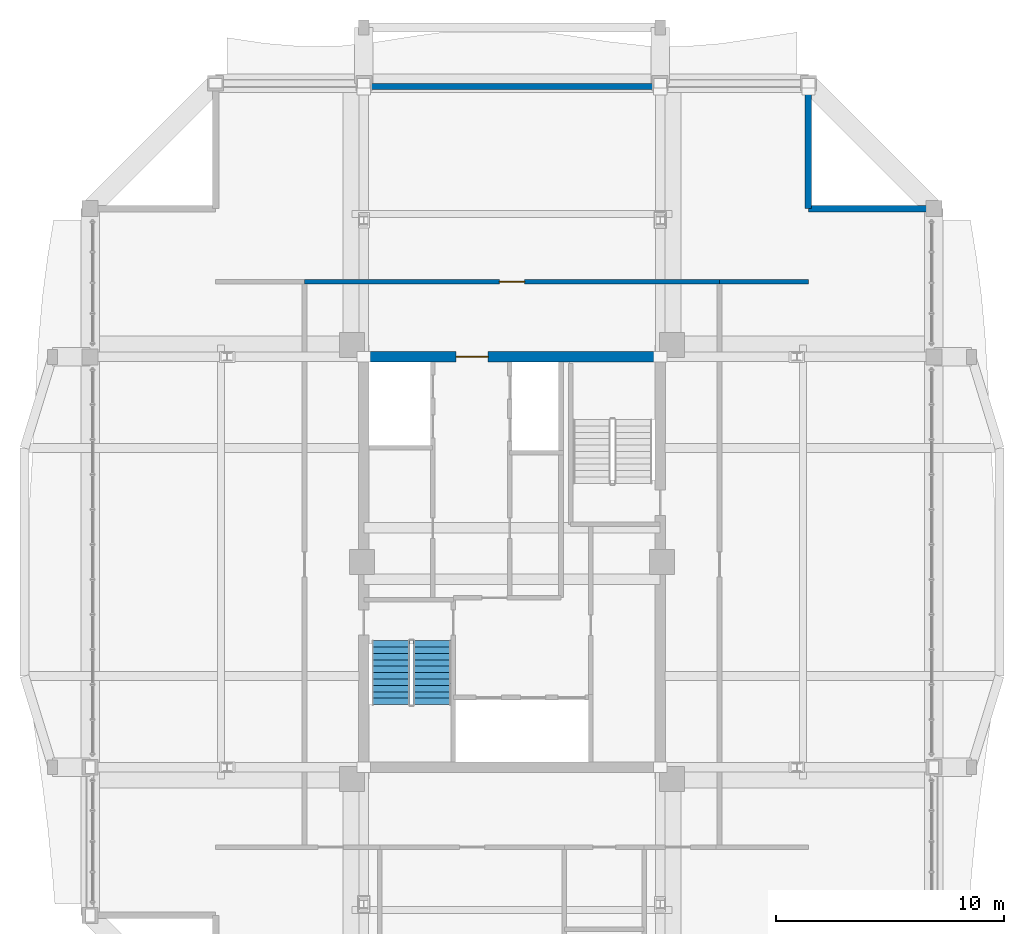
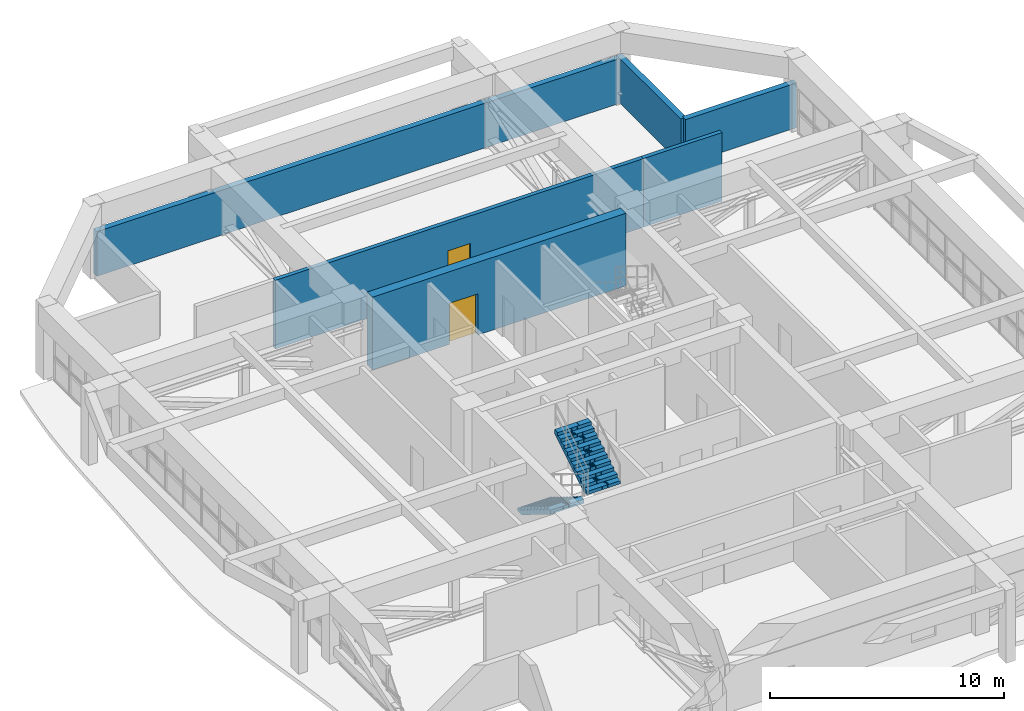
# One storey, part 22 of 25: 6 walls, 2 doors, 2 stair flights, 2 openings, 1 element without a shape of its own.
"""IFC4 building model written with IfcOpenShell, lengths in metres."""

from ifc_helpers import new_model, si_unit, direction, frame, frame_2d, origin, place, context, subcontext, project, spatial, polyline, rectangle, outline, extrude, source, transform, mapped, material, layer, layer_set, type_object, element, fill, aggregate, save


model = new_model("IFC4")

# Units and contexts
model_context = context("Model", 3, precision=1e-05, world=origin(), true_north=direction((0.0, 1.0)))
body_context = subcontext(model_context, "Body", "Model", "MODEL_VIEW")
ifc_project = project(units=[si_unit("LENGTHUNIT", "METRE"), si_unit("AREAUNIT", "SQUARE_METRE"), si_unit("VOLUMEUNIT", "CUBIC_METRE"), si_unit("PLANEANGLEUNIT", "RADIAN"), si_unit("MASSUNIT", "GRAM", prefix="KILO")], contexts=[model_context])

# Site, building, storey
site_placement = place(None, origin())
site = spatial("IfcSite", under=ifc_project, at=site_placement, CompositionType="ELEMENT")
building_placement = place(site_placement, origin())
building = spatial("IfcBuilding", under=site, at=building_placement, Name="Saelheon Loggia Tower", CompositionType="ELEMENT")
storey_placement = place(building_placement, frame((0.0, 0.0, 206.5)))
storey = spatial("IfcBuildingStorey", under=building, at=storey_placement, Name="L64", CompositionType="ELEMENT", Elevation=206.5)

# Wall, opening, door
ifc_material_1 = material(Name="Concrete C45/55", Category="concrete")
ifc_layer_1 = layer(ifc_material_1, 0.449951171875)
ifc_layer_set_1 = layer_set([ifc_layer_1], Name="Concrete C45/55")
wall_type_1 = type_object("IfcWallType", Name="Wall_CoreShear_450", PredefinedType="SHEAR", material=ifc_layer_set_1)
wall_1_placement = place(storey_placement, frame((31.72509765625, 36.0, 0.0), z_axis=(0.0, 0.0, 1.0), x_axis=(1.0, 0.0, 0.0)))
wall_1 = element("IfcWall", 1, at=wall_1_placement, inside=storey, type_object=wall_type_1, Name="L64 Core Shear Wall North", PredefinedType="SHEAR", context=body_context, shape_type="SweptSolid", body=[
    extrude(rectangle(XDim=12.5498046875, YDim=0.449951171875, at=frame_2d((6.27490234375, 0.0))), origin(), (0.0, 0.0, 1.0), 3.800048828125),
])
opening_1_placement = place(wall_1_placement, frame((5.224853515625, 0.0, 0.0), z_axis=(0.0, 0.0, 1.0), x_axis=(-1.0, 0.0, 0.0)))
opening_1 = element("IfcOpeningElement", 2, at=opening_1_placement, cuts=wall_1, Name="Opening D-FD2L", PredefinedType="OPENING", context=body_context, shape_type="SweptSolid", body=[
    extrude(rectangle(XDim=1.39990234375, YDim=2.14990234375, at=frame_2d((0.699951171875, 1.074951171875))), frame((0.0, 0.237060546875, 0.0), z_axis=(0.0, -1.0, 0.0), x_axis=(1.0, 0.0, 0.0)), (0.0, 0.0, 1.0), 0.473876953125),
])
ifc_material_2 = material(Name="Galvanised Steel Glazed Lobby Fire Door", Category="steel")
door_type_1 = type_object("IfcDoorType", Name="Door_Fire_FD60_1400", OperationType="NOTDEFINED", PredefinedType="DOOR", material=ifc_material_2)
shared_shape_1 = source(origin(), body_context, "Body", "SweptSolid", [
    extrude(rectangle(XDim=1.39990234375, YDim=2.14990234375, at=frame_2d((0.699951171875, 1.074951171875))), frame((0.0, 0.02490234375, 0.0), z_axis=(0.0, -1.0, 0.0), x_axis=(1.0, 0.0, 0.0)), (0.0, 0.0, 1.0), 0.050048828125),
])
door_1_placement = place(opening_1_placement, origin())
door_1 = element("IfcDoor", 3, at=door_1_placement, inside=storey, type_object=door_type_1, Name="L64 Passenger Lift Lobby Main Door", OperationType="SINGLE_SWING_RIGHT", OverallHeight=2.14990234375, OverallWidth=1.39990234375, PredefinedType="DOOR", context=body_context, shape_type="MappedRepresentation", body=[
    mapped(shared_shape_1, transform((0.0, 0.0, 0.0), scale=1.0)),
])
fill(opening_1, door_1)

# Walls
ifc_material_3 = material(Name="Architectural Precast Concrete C40/50", Category="concrete")
ifc_layer_2 = layer(ifc_material_3, 0.280029296875)
ifc_layer_set_2 = layer_set([ifc_layer_2], Name="Architectural Precast Concrete C40/50")
wall_type_2 = type_object("IfcWallType", Name="Wall_Ext_Loggia_280", PredefinedType="SOLIDWALL", material=ifc_layer_set_2)
wall_2_placement = place(storey_placement, frame((25.0, 47.860107421875, 0.0), z_axis=(0.0, 0.0, 1.0), x_axis=(1.0, 0.0, 0.0)))
element("IfcWall", 4, at=wall_2_placement, inside=storey, type_object=wall_type_2, Name="L64 Refuge North Wall", PredefinedType="SOLIDWALL", context=body_context, shape_type="SweptSolid", body=[
    extrude(rectangle(XDim=26.0, YDim=0.280029296875, at=frame_2d((13.0, 0.0))), origin(), (0.0, 0.0, 1.0), 2.340087890625),
])
for number, where, z_axis, x_axis, name in (
    (5, (51.0, 42.5, 0.0), (0.0, 0.0, 1.0), (0.0, 1.0, 0.0), "L64 Notch Wall NE1"),
    (6, (51.0, 42.5, 0.0), (0.0, 0.0, 1.0), (1.0, 0.0, 0.0), "L64 Notch Wall NE2"),
):
    element("IfcWall", number, at=place(storey_placement, frame(where, z_axis=z_axis, x_axis=x_axis)), inside=storey, type_object=wall_type_2, Name=name, PredefinedType="SOLIDWALL", context=body_context, shape_type="SweptSolid", body=[
        extrude(rectangle(XDim=5.5, YDim=0.280029296875, at=frame_2d((2.75, 0.0))), origin(), (0.0, 0.0, 1.0), 2.340087890625),
    ])

# Wall, opening, door
ifc_material_4 = material(Name="Concrete C40/50", Category="concrete")
ifc_layer_3 = layer(ifc_material_4, 0.199951171875)
ifc_layer_set_3 = layer_set([ifc_layer_3], Name="Concrete C40/50")
wall_type_3 = type_object("IfcWallType", Name="Wall_Shaft_200", PredefinedType="PARTITIONING", material=ifc_layer_set_3)
wall_3_placement = place(storey_placement, frame((28.89990234375, 39.300048828125, 0.0), z_axis=(0.0, 0.0, 1.0), x_axis=(1.0, 0.0, 0.0)))
wall_3 = element("IfcWall", 7, at=wall_3_placement, inside=storey, type_object=wall_type_3, Name="PW-L64-PMP-NC", PredefinedType="PARTITIONING", context=body_context, shape_type="SweptSolid", body=[
    extrude(rectangle(XDim=18.2001953125, YDim=0.199951171875, at=frame_2d((9.10009765625, 0.0))), origin(), (0.0, 0.0, 1.0), 3.590087890625),
])
opening_2_placement = place(wall_3_placement, frame((8.550048828125, 0.0, 0.0)))
opening_2 = element("IfcOpeningElement", 8, at=opening_2_placement, cuts=wall_3, Name="Opening D-FD2", PredefinedType="OPENING", context=body_context, shape_type="SweptSolid", body=[
    extrude(rectangle(XDim=1.10009765625, YDim=2.14990234375, at=frame_2d((0.550048828125, 1.074951171875))), frame((0.0, 0.112060546875, 0.0), z_axis=(0.0, -1.0, 0.0), x_axis=(1.0, 0.0, 0.0)), (0.0, 0.0, 1.0), 0.223876953125),
])
ifc_material_5 = material(Name="Galvanised Steel Fire Door", Category="steel")
door_type_2 = type_object("IfcDoorType", Name="Door_Fire_FD60_1100", OperationType="NOTDEFINED", PredefinedType="DOOR", material=ifc_material_5)
shared_shape_2 = source(origin(), body_context, "Body", "SweptSolid", [
    extrude(rectangle(XDim=1.10009765625, YDim=2.14990234375, at=frame_2d((0.550048828125, 1.074951171875))), frame((0.0, 0.02490234375, 0.0), z_axis=(0.0, -1.0, 0.0), x_axis=(1.0, 0.0, 0.0)), (0.0, 0.0, 1.0), 0.050048828125),
])
door_2_placement = place(opening_2_placement, origin())
door_2 = element("IfcDoor", 9, at=door_2_placement, inside=storey, type_object=door_type_2, Name="L64 Booster Pump Room Door", OperationType="SINGLE_SWING_LEFT", OverallHeight=2.14990234375, OverallWidth=1.10009765625, PredefinedType="DOOR", context=body_context, shape_type="MappedRepresentation", body=[
    mapped(shared_shape_2, transform((0.0, 0.0, 0.0), scale=1.0)),
])
fill(opening_2, door_2)

# Wall
wall_4_placement = place(storey_placement, frame((47.10009765625, 39.300048828125, 0.0), z_axis=(0.0, 0.0, 1.0), x_axis=(1.0, 0.0, 0.0)))
element("IfcWall", 10, at=wall_4_placement, inside=storey, type_object=wall_type_3, Name="PW-L64-PMP-NE", PredefinedType="PARTITIONING", context=body_context, shape_type="SweptSolid", body=[
    extrude(rectangle(XDim=3.89990234375, YDim=0.199951171875, at=frame_2d((1.949951171875, 0.0))), origin(), (0.0, 0.0, 1.0), 3.590087890625),
])

# Stair, stair flights
stair_type = type_object("IfcStairType", Name="Stair_Escape_Core", PredefinedType="HALF_TURN_STAIR", material=ifc_material_4)
stair_placement = place(storey_placement, origin())
stair = element("IfcStair", 11, at=stair_placement, inside=storey, type_object=stair_type, Name="L64 Special Escape Stair ST1", PredefinedType="HALF_TURN_STAIR")
stair_flight_type = type_object("IfcStairFlightType", Name="StairFlight_Tower_1660", PredefinedType="STRAIGHT", material=ifc_material_4)
stair_flight_1_placement = place(storey_placement, frame((32.679931640625, 23.550048828125, 0.0), z_axis=(0.0, 0.0, 1.0), x_axis=(0.0, -1.0, 0.0)))
stair_flight_1 = element("IfcStairFlight", 12, at=stair_flight_1_placement, type_object=stair_flight_type, Name="ST1 flight 1", NumberOfRisers=11, NumberOfTreads=10, PredefinedType="STRAIGHT", RiserHeight=0.172727273, TreadLength=0.28, context=body_context, shape_type="SweptSolid", body=[
    extrude(outline(polyline([(0.0, 0.0), (0.0, 0.172607421875), (0.280029296875, 0.172607421875), (0.280029296875, 0.345458984375), (0.56005859375, 0.345458984375), (0.56005859375, 0.51806640625), (0.840087890625, 0.51806640625), (0.840087890625, 0.69091796875), (1.1201171875, 0.69091796875), (1.1201171875, 0.863525390625), (1.39990234375, 0.863525390625), (1.39990234375, 1.036376953125), (1.679931640625, 1.036376953125), (1.679931640625, 1.208984375), (1.9599609375, 1.208984375), (1.9599609375, 1.3818359375), (2.239990234375, 1.3818359375), (2.239990234375, 1.554443359375), (2.52001953125, 1.554443359375), (2.52001953125, 1.727294921875), (2.800048828125, 1.727294921875), (2.800048828125, 1.89990234375), (2.800048828125, 1.515869140625), (0.3427734375, 0.0), (0.0, 0.0)])), frame((0.0, -0.2490234375, 0.0), z_axis=(0.0, -1.0, 0.0), x_axis=(1.0, 0.0, 0.0)), (0.0, 0.0, 1.0), 0.5810546875),
    extrude(outline(polyline([(0.0, 0.0), (0.0, 0.172607421875), (0.280029296875, 0.172607421875), (0.280029296875, 0.345458984375), (0.56005859375, 0.345458984375), (0.56005859375, 0.51806640625), (0.840087890625, 0.51806640625), (0.840087890625, 0.69091796875), (1.1201171875, 0.69091796875), (1.1201171875, 0.863525390625), (1.39990234375, 0.863525390625), (1.39990234375, 1.036376953125), (1.679931640625, 1.036376953125), (1.679931640625, 1.208984375), (1.9599609375, 1.208984375), (1.9599609375, 1.3818359375), (2.239990234375, 1.3818359375), (2.239990234375, 1.554443359375), (2.52001953125, 1.554443359375), (2.52001953125, 1.727294921875), (2.800048828125, 1.727294921875), (2.800048828125, 1.89990234375), (2.800048828125, 1.515869140625), (0.3427734375, 0.0), (0.0, 0.0)])), frame((0.0, -0.194091796875, 0.0), z_axis=(0.0, -1.0, 0.0), x_axis=(1.0, 0.0, 0.0)), (0.0, 0.0, 1.0), 0.0498046875),
    extrude(outline(polyline([(0.0, 0.0), (0.0, 0.172607421875), (0.280029296875, 0.172607421875), (0.280029296875, 0.345458984375), (0.56005859375, 0.345458984375), (0.56005859375, 0.51806640625), (0.840087890625, 0.51806640625), (0.840087890625, 0.69091796875), (1.1201171875, 0.69091796875), (1.1201171875, 0.863525390625), (1.39990234375, 0.863525390625), (1.39990234375, 1.036376953125), (1.679931640625, 1.036376953125), (1.679931640625, 1.208984375), (1.9599609375, 1.208984375), (1.9599609375, 1.3818359375), (2.239990234375, 1.3818359375), (2.239990234375, 1.554443359375), (2.52001953125, 1.554443359375), (2.52001953125, 1.727294921875), (2.800048828125, 1.727294921875), (2.800048828125, 1.89990234375), (2.800048828125, 1.515869140625), (0.3427734375, 0.0), (0.0, 0.0)])), frame((0.0, -0.139404296875, 0.0), z_axis=(0.0, -1.0, 0.0), x_axis=(1.0, 0.0, 0.0)), (0.0, 0.0, 1.0), 0.0498046875),
    extrude(outline(polyline([(0.0, 0.0), (0.0, 0.172607421875), (0.280029296875, 0.172607421875), (0.280029296875, 0.345458984375), (0.56005859375, 0.345458984375), (0.56005859375, 0.51806640625), (0.840087890625, 0.51806640625), (0.840087890625, 0.69091796875), (1.1201171875, 0.69091796875), (1.1201171875, 0.863525390625), (1.39990234375, 0.863525390625), (1.39990234375, 1.036376953125), (1.679931640625, 1.036376953125), (1.679931640625, 1.208984375), (1.9599609375, 1.208984375), (1.9599609375, 1.3818359375), (2.239990234375, 1.3818359375), (2.239990234375, 1.554443359375), (2.52001953125, 1.554443359375), (2.52001953125, 1.727294921875), (2.800048828125, 1.727294921875), (2.800048828125, 1.89990234375), (2.800048828125, 1.515869140625), (0.3427734375, 0.0), (0.0, 0.0)])), frame((0.0, -0.084716796875, 0.0), z_axis=(0.0, -1.0, 0.0), x_axis=(1.0, 0.0, 0.0)), (0.0, 0.0, 1.0), 0.0498046875),
    extrude(outline(polyline([(0.0, 0.0), (0.0, 0.172607421875), (0.280029296875, 0.172607421875), (0.280029296875, 0.345458984375), (0.56005859375, 0.345458984375), (0.56005859375, 0.51806640625), (0.840087890625, 0.51806640625), (0.840087890625, 0.69091796875), (1.1201171875, 0.69091796875), (1.1201171875, 0.863525390625), (1.39990234375, 0.863525390625), (1.39990234375, 1.036376953125), (1.679931640625, 1.036376953125), (1.679931640625, 1.208984375), (1.9599609375, 1.208984375), (1.9599609375, 1.3818359375), (2.239990234375, 1.3818359375), (2.239990234375, 1.554443359375), (2.52001953125, 1.554443359375), (2.52001953125, 1.727294921875), (2.800048828125, 1.727294921875), (2.800048828125, 1.89990234375), (2.800048828125, 1.515869140625), (0.3427734375, 0.0), (0.0, 0.0)])), frame((0.0, -0.02978515625, 0.0), z_axis=(0.0, -1.0, 0.0), x_axis=(1.0, 0.0, 0.0)), (0.0, 0.0, 1.0), 0.0498046875),
    extrude(outline(polyline([(0.0, 0.0), (0.0, 0.172607421875), (0.280029296875, 0.172607421875), (0.280029296875, 0.345458984375), (0.56005859375, 0.345458984375), (0.56005859375, 0.51806640625), (0.840087890625, 0.51806640625), (0.840087890625, 0.69091796875), (1.1201171875, 0.69091796875), (1.1201171875, 0.863525390625), (1.39990234375, 0.863525390625), (1.39990234375, 1.036376953125), (1.679931640625, 1.036376953125), (1.679931640625, 1.208984375), (1.9599609375, 1.208984375), (1.9599609375, 1.3818359375), (2.239990234375, 1.3818359375), (2.239990234375, 1.554443359375), (2.52001953125, 1.554443359375), (2.52001953125, 1.727294921875), (2.800048828125, 1.727294921875), (2.800048828125, 1.89990234375), (2.800048828125, 1.515869140625), (0.3427734375, 0.0), (0.0, 0.0)])), frame((0.0, 0.02490234375, 0.0), z_axis=(0.0, -1.0, 0.0), x_axis=(1.0, 0.0, 0.0)), (0.0, 0.0, 1.0), 0.0498046875),
    extrude(outline(polyline([(0.0, 0.0), (0.0, 0.172607421875), (0.280029296875, 0.172607421875), (0.280029296875, 0.345458984375), (0.56005859375, 0.345458984375), (0.56005859375, 0.51806640625), (0.840087890625, 0.51806640625), (0.840087890625, 0.69091796875), (1.1201171875, 0.69091796875), (1.1201171875, 0.863525390625), (1.39990234375, 0.863525390625), (1.39990234375, 1.036376953125), (1.679931640625, 1.036376953125), (1.679931640625, 1.208984375), (1.9599609375, 1.208984375), (1.9599609375, 1.3818359375), (2.239990234375, 1.3818359375), (2.239990234375, 1.554443359375), (2.52001953125, 1.554443359375), (2.52001953125, 1.727294921875), (2.800048828125, 1.727294921875), (2.800048828125, 1.89990234375), (2.800048828125, 1.515869140625), (0.3427734375, 0.0), (0.0, 0.0)])), frame((0.0, 0.07958984375, 0.0), z_axis=(0.0, -1.0, 0.0), x_axis=(1.0, 0.0, 0.0)), (0.0, 0.0, 1.0), 0.0498046875),
    extrude(outline(polyline([(0.0, 0.0), (0.0, 0.172607421875), (0.280029296875, 0.172607421875), (0.280029296875, 0.345458984375), (0.56005859375, 0.345458984375), (0.56005859375, 0.51806640625), (0.840087890625, 0.51806640625), (0.840087890625, 0.69091796875), (1.1201171875, 0.69091796875), (1.1201171875, 0.863525390625), (1.39990234375, 0.863525390625), (1.39990234375, 1.036376953125), (1.679931640625, 1.036376953125), (1.679931640625, 1.208984375), (1.9599609375, 1.208984375), (1.9599609375, 1.3818359375), (2.239990234375, 1.3818359375), (2.239990234375, 1.554443359375), (2.52001953125, 1.554443359375), (2.52001953125, 1.727294921875), (2.800048828125, 1.727294921875), (2.800048828125, 1.89990234375), (2.800048828125, 1.515869140625), (0.3427734375, 0.0), (0.0, 0.0)])), frame((0.0, 0.134521484375, 0.0), z_axis=(0.0, -1.0, 0.0), x_axis=(1.0, 0.0, 0.0)), (0.0, 0.0, 1.0), 0.0498046875),
    extrude(outline(polyline([(0.0, 0.0), (0.0, 0.172607421875), (0.280029296875, 0.172607421875), (0.280029296875, 0.345458984375), (0.56005859375, 0.345458984375), (0.56005859375, 0.51806640625), (0.840087890625, 0.51806640625), (0.840087890625, 0.69091796875), (1.1201171875, 0.69091796875), (1.1201171875, 0.863525390625), (1.39990234375, 0.863525390625), (1.39990234375, 1.036376953125), (1.679931640625, 1.036376953125), (1.679931640625, 1.208984375), (1.9599609375, 1.208984375), (1.9599609375, 1.3818359375), (2.239990234375, 1.3818359375), (2.239990234375, 1.554443359375), (2.52001953125, 1.554443359375), (2.52001953125, 1.727294921875), (2.800048828125, 1.727294921875), (2.800048828125, 1.89990234375), (2.800048828125, 1.515869140625), (0.3427734375, 0.0), (0.0, 0.0)])), frame((0.0, 0.189208984375, 0.0), z_axis=(0.0, -1.0, 0.0), x_axis=(1.0, 0.0, 0.0)), (0.0, 0.0, 1.0), 0.0498046875),
    extrude(outline(polyline([(0.0, 0.0), (0.0, 0.172607421875), (0.280029296875, 0.172607421875), (0.280029296875, 0.345458984375), (0.56005859375, 0.345458984375), (0.56005859375, 0.51806640625), (0.840087890625, 0.51806640625), (0.840087890625, 0.69091796875), (1.1201171875, 0.69091796875), (1.1201171875, 0.863525390625), (1.39990234375, 0.863525390625), (1.39990234375, 1.036376953125), (1.679931640625, 1.036376953125), (1.679931640625, 1.208984375), (1.9599609375, 1.208984375), (1.9599609375, 1.3818359375), (2.239990234375, 1.3818359375), (2.239990234375, 1.554443359375), (2.52001953125, 1.554443359375), (2.52001953125, 1.727294921875), (2.800048828125, 1.727294921875), (2.800048828125, 1.89990234375), (2.800048828125, 1.515869140625), (0.3427734375, 0.0), (0.0, 0.0)])), frame((0.0, 0.243896484375, 0.0), z_axis=(0.0, -1.0, 0.0), x_axis=(1.0, 0.0, 0.0)), (0.0, 0.0, 1.0), 0.0498046875),
    extrude(outline(polyline([(0.0, 0.0), (0.0, 0.172607421875), (0.280029296875, 0.172607421875), (0.280029296875, 0.345458984375), (0.56005859375, 0.345458984375), (0.56005859375, 0.51806640625), (0.840087890625, 0.51806640625), (0.840087890625, 0.69091796875), (1.1201171875, 0.69091796875), (1.1201171875, 0.863525390625), (1.39990234375, 0.863525390625), (1.39990234375, 1.036376953125), (1.679931640625, 1.036376953125), (1.679931640625, 1.208984375), (1.9599609375, 1.208984375), (1.9599609375, 1.3818359375), (2.239990234375, 1.3818359375), (2.239990234375, 1.554443359375), (2.52001953125, 1.554443359375), (2.52001953125, 1.727294921875), (2.800048828125, 1.727294921875), (2.800048828125, 1.89990234375), (2.800048828125, 1.515869140625), (0.3427734375, 0.0), (0.0, 0.0)])), frame((0.0, 0.830078125, 0.0), z_axis=(0.0, -1.0, 0.0), x_axis=(1.0, 0.0, 0.0)), (0.0, 0.0, 1.0), 0.5810546875),
])
stair_flight_2_placement = place(storey_placement, frame((34.5, 20.75, 1.89990234375), z_axis=(0.0, 0.0, 1.0), x_axis=(0.0, 1.0, 0.0)))
stair_flight_2 = element("IfcStairFlight", 13, at=stair_flight_2_placement, type_object=stair_flight_type, Name="ST1 flight 2", NumberOfRisers=11, NumberOfTreads=10, PredefinedType="STRAIGHT", RiserHeight=0.172727273, TreadLength=0.28, context=body_context, shape_type="SweptSolid", body=[
    extrude(outline(polyline([(0.0, 0.0), (0.0, 0.172607421875), (0.280029296875, 0.172607421875), (0.280029296875, 0.345458984375), (0.56005859375, 0.345458984375), (0.56005859375, 0.51806640625), (0.840087890625, 0.51806640625), (0.840087890625, 0.69091796875), (1.1201171875, 0.69091796875), (1.1201171875, 0.863525390625), (1.39990234375, 0.863525390625), (1.39990234375, 1.036376953125), (1.679931640625, 1.036376953125), (1.679931640625, 1.208984375), (1.9599609375, 1.208984375), (1.9599609375, 1.3818359375), (2.239990234375, 1.3818359375), (2.239990234375, 1.554443359375), (2.52001953125, 1.554443359375), (2.52001953125, 1.727294921875), (2.800048828125, 1.727294921875), (2.800048828125, 1.89990234375), (2.800048828125, 1.515869140625), (0.3427734375, 0.0), (0.0, 0.0)])), frame((0.0, -0.2490234375, 0.0), z_axis=(0.0, -1.0, 0.0), x_axis=(1.0, 0.0, 0.0)), (0.0, 0.0, 1.0), 0.5810546875),
    extrude(outline(polyline([(0.0, 0.0), (0.0, 0.172607421875), (0.280029296875, 0.172607421875), (0.280029296875, 0.345458984375), (0.56005859375, 0.345458984375), (0.56005859375, 0.51806640625), (0.840087890625, 0.51806640625), (0.840087890625, 0.69091796875), (1.1201171875, 0.69091796875), (1.1201171875, 0.863525390625), (1.39990234375, 0.863525390625), (1.39990234375, 1.036376953125), (1.679931640625, 1.036376953125), (1.679931640625, 1.208984375), (1.9599609375, 1.208984375), (1.9599609375, 1.3818359375), (2.239990234375, 1.3818359375), (2.239990234375, 1.554443359375), (2.52001953125, 1.554443359375), (2.52001953125, 1.727294921875), (2.800048828125, 1.727294921875), (2.800048828125, 1.89990234375), (2.800048828125, 1.515869140625), (0.3427734375, 0.0), (0.0, 0.0)])), frame((0.0, -0.194091796875, 0.0), z_axis=(0.0, -1.0, 0.0), x_axis=(1.0, 0.0, 0.0)), (0.0, 0.0, 1.0), 0.0498046875),
    extrude(outline(polyline([(0.0, 0.0), (0.0, 0.172607421875), (0.280029296875, 0.172607421875), (0.280029296875, 0.345458984375), (0.56005859375, 0.345458984375), (0.56005859375, 0.51806640625), (0.840087890625, 0.51806640625), (0.840087890625, 0.69091796875), (1.1201171875, 0.69091796875), (1.1201171875, 0.863525390625), (1.39990234375, 0.863525390625), (1.39990234375, 1.036376953125), (1.679931640625, 1.036376953125), (1.679931640625, 1.208984375), (1.9599609375, 1.208984375), (1.9599609375, 1.3818359375), (2.239990234375, 1.3818359375), (2.239990234375, 1.554443359375), (2.52001953125, 1.554443359375), (2.52001953125, 1.727294921875), (2.800048828125, 1.727294921875), (2.800048828125, 1.89990234375), (2.800048828125, 1.515869140625), (0.3427734375, 0.0), (0.0, 0.0)])), frame((0.0, -0.139404296875, 0.0), z_axis=(0.0, -1.0, 0.0), x_axis=(1.0, 0.0, 0.0)), (0.0, 0.0, 1.0), 0.0498046875),
    extrude(outline(polyline([(0.0, 0.0), (0.0, 0.172607421875), (0.280029296875, 0.172607421875), (0.280029296875, 0.345458984375), (0.56005859375, 0.345458984375), (0.56005859375, 0.51806640625), (0.840087890625, 0.51806640625), (0.840087890625, 0.69091796875), (1.1201171875, 0.69091796875), (1.1201171875, 0.863525390625), (1.39990234375, 0.863525390625), (1.39990234375, 1.036376953125), (1.679931640625, 1.036376953125), (1.679931640625, 1.208984375), (1.9599609375, 1.208984375), (1.9599609375, 1.3818359375), (2.239990234375, 1.3818359375), (2.239990234375, 1.554443359375), (2.52001953125, 1.554443359375), (2.52001953125, 1.727294921875), (2.800048828125, 1.727294921875), (2.800048828125, 1.89990234375), (2.800048828125, 1.515869140625), (0.3427734375, 0.0), (0.0, 0.0)])), frame((0.0, -0.084716796875, 0.0), z_axis=(0.0, -1.0, 0.0), x_axis=(1.0, 0.0, 0.0)), (0.0, 0.0, 1.0), 0.0498046875),
    extrude(outline(polyline([(0.0, 0.0), (0.0, 0.172607421875), (0.280029296875, 0.172607421875), (0.280029296875, 0.345458984375), (0.56005859375, 0.345458984375), (0.56005859375, 0.51806640625), (0.840087890625, 0.51806640625), (0.840087890625, 0.69091796875), (1.1201171875, 0.69091796875), (1.1201171875, 0.863525390625), (1.39990234375, 0.863525390625), (1.39990234375, 1.036376953125), (1.679931640625, 1.036376953125), (1.679931640625, 1.208984375), (1.9599609375, 1.208984375), (1.9599609375, 1.3818359375), (2.239990234375, 1.3818359375), (2.239990234375, 1.554443359375), (2.52001953125, 1.554443359375), (2.52001953125, 1.727294921875), (2.800048828125, 1.727294921875), (2.800048828125, 1.89990234375), (2.800048828125, 1.515869140625), (0.3427734375, 0.0), (0.0, 0.0)])), frame((0.0, -0.02978515625, 0.0), z_axis=(0.0, -1.0, 0.0), x_axis=(1.0, 0.0, 0.0)), (0.0, 0.0, 1.0), 0.0498046875),
    extrude(outline(polyline([(0.0, 0.0), (0.0, 0.172607421875), (0.280029296875, 0.172607421875), (0.280029296875, 0.345458984375), (0.56005859375, 0.345458984375), (0.56005859375, 0.51806640625), (0.840087890625, 0.51806640625), (0.840087890625, 0.69091796875), (1.1201171875, 0.69091796875), (1.1201171875, 0.863525390625), (1.39990234375, 0.863525390625), (1.39990234375, 1.036376953125), (1.679931640625, 1.036376953125), (1.679931640625, 1.208984375), (1.9599609375, 1.208984375), (1.9599609375, 1.3818359375), (2.239990234375, 1.3818359375), (2.239990234375, 1.554443359375), (2.52001953125, 1.554443359375), (2.52001953125, 1.727294921875), (2.800048828125, 1.727294921875), (2.800048828125, 1.89990234375), (2.800048828125, 1.515869140625), (0.3427734375, 0.0), (0.0, 0.0)])), frame((0.0, 0.02490234375, 0.0), z_axis=(0.0, -1.0, 0.0), x_axis=(1.0, 0.0, 0.0)), (0.0, 0.0, 1.0), 0.0498046875),
    extrude(outline(polyline([(0.0, 0.0), (0.0, 0.172607421875), (0.280029296875, 0.172607421875), (0.280029296875, 0.345458984375), (0.56005859375, 0.345458984375), (0.56005859375, 0.51806640625), (0.840087890625, 0.51806640625), (0.840087890625, 0.69091796875), (1.1201171875, 0.69091796875), (1.1201171875, 0.863525390625), (1.39990234375, 0.863525390625), (1.39990234375, 1.036376953125), (1.679931640625, 1.036376953125), (1.679931640625, 1.208984375), (1.9599609375, 1.208984375), (1.9599609375, 1.3818359375), (2.239990234375, 1.3818359375), (2.239990234375, 1.554443359375), (2.52001953125, 1.554443359375), (2.52001953125, 1.727294921875), (2.800048828125, 1.727294921875), (2.800048828125, 1.89990234375), (2.800048828125, 1.515869140625), (0.3427734375, 0.0), (0.0, 0.0)])), frame((0.0, 0.07958984375, 0.0), z_axis=(0.0, -1.0, 0.0), x_axis=(1.0, 0.0, 0.0)), (0.0, 0.0, 1.0), 0.0498046875),
    extrude(outline(polyline([(0.0, 0.0), (0.0, 0.172607421875), (0.280029296875, 0.172607421875), (0.280029296875, 0.345458984375), (0.56005859375, 0.345458984375), (0.56005859375, 0.51806640625), (0.840087890625, 0.51806640625), (0.840087890625, 0.69091796875), (1.1201171875, 0.69091796875), (1.1201171875, 0.863525390625), (1.39990234375, 0.863525390625), (1.39990234375, 1.036376953125), (1.679931640625, 1.036376953125), (1.679931640625, 1.208984375), (1.9599609375, 1.208984375), (1.9599609375, 1.3818359375), (2.239990234375, 1.3818359375), (2.239990234375, 1.554443359375), (2.52001953125, 1.554443359375), (2.52001953125, 1.727294921875), (2.800048828125, 1.727294921875), (2.800048828125, 1.89990234375), (2.800048828125, 1.515869140625), (0.3427734375, 0.0), (0.0, 0.0)])), frame((0.0, 0.134521484375, 0.0), z_axis=(0.0, -1.0, 0.0), x_axis=(1.0, 0.0, 0.0)), (0.0, 0.0, 1.0), 0.0498046875),
    extrude(outline(polyline([(0.0, 0.0), (0.0, 0.172607421875), (0.280029296875, 0.172607421875), (0.280029296875, 0.345458984375), (0.56005859375, 0.345458984375), (0.56005859375, 0.51806640625), (0.840087890625, 0.51806640625), (0.840087890625, 0.69091796875), (1.1201171875, 0.69091796875), (1.1201171875, 0.863525390625), (1.39990234375, 0.863525390625), (1.39990234375, 1.036376953125), (1.679931640625, 1.036376953125), (1.679931640625, 1.208984375), (1.9599609375, 1.208984375), (1.9599609375, 1.3818359375), (2.239990234375, 1.3818359375), (2.239990234375, 1.554443359375), (2.52001953125, 1.554443359375), (2.52001953125, 1.727294921875), (2.800048828125, 1.727294921875), (2.800048828125, 1.89990234375), (2.800048828125, 1.515869140625), (0.3427734375, 0.0), (0.0, 0.0)])), frame((0.0, 0.189208984375, 0.0), z_axis=(0.0, -1.0, 0.0), x_axis=(1.0, 0.0, 0.0)), (0.0, 0.0, 1.0), 0.0498046875),
    extrude(outline(polyline([(0.0, 0.0), (0.0, 0.172607421875), (0.280029296875, 0.172607421875), (0.280029296875, 0.345458984375), (0.56005859375, 0.345458984375), (0.56005859375, 0.51806640625), (0.840087890625, 0.51806640625), (0.840087890625, 0.69091796875), (1.1201171875, 0.69091796875), (1.1201171875, 0.863525390625), (1.39990234375, 0.863525390625), (1.39990234375, 1.036376953125), (1.679931640625, 1.036376953125), (1.679931640625, 1.208984375), (1.9599609375, 1.208984375), (1.9599609375, 1.3818359375), (2.239990234375, 1.3818359375), (2.239990234375, 1.554443359375), (2.52001953125, 1.554443359375), (2.52001953125, 1.727294921875), (2.800048828125, 1.727294921875), (2.800048828125, 1.89990234375), (2.800048828125, 1.515869140625), (0.3427734375, 0.0), (0.0, 0.0)])), frame((0.0, 0.243896484375, 0.0), z_axis=(0.0, -1.0, 0.0), x_axis=(1.0, 0.0, 0.0)), (0.0, 0.0, 1.0), 0.0498046875),
    extrude(outline(polyline([(0.0, 0.0), (0.0, 0.172607421875), (0.280029296875, 0.172607421875), (0.280029296875, 0.345458984375), (0.56005859375, 0.345458984375), (0.56005859375, 0.51806640625), (0.840087890625, 0.51806640625), (0.840087890625, 0.69091796875), (1.1201171875, 0.69091796875), (1.1201171875, 0.863525390625), (1.39990234375, 0.863525390625), (1.39990234375, 1.036376953125), (1.679931640625, 1.036376953125), (1.679931640625, 1.208984375), (1.9599609375, 1.208984375), (1.9599609375, 1.3818359375), (2.239990234375, 1.3818359375), (2.239990234375, 1.554443359375), (2.52001953125, 1.554443359375), (2.52001953125, 1.727294921875), (2.800048828125, 1.727294921875), (2.800048828125, 1.89990234375), (2.800048828125, 1.515869140625), (0.3427734375, 0.0), (0.0, 0.0)])), frame((0.0, 0.830078125, 0.0), z_axis=(0.0, -1.0, 0.0), x_axis=(1.0, 0.0, 0.0)), (0.0, 0.0, 1.0), 0.5810546875),
])
aggregate(stair, [stair_flight_1, stair_flight_2])

save(model, "model.ifc")
